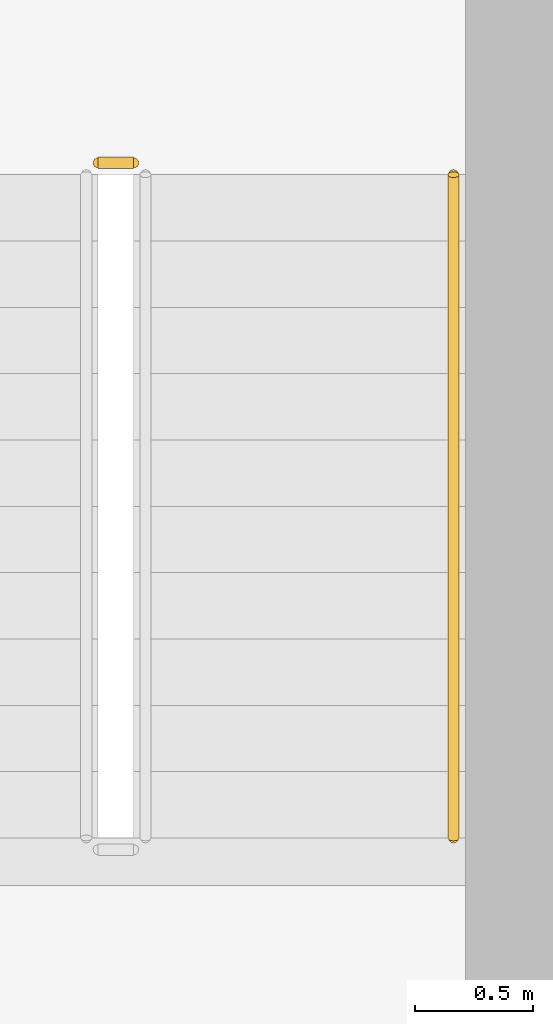
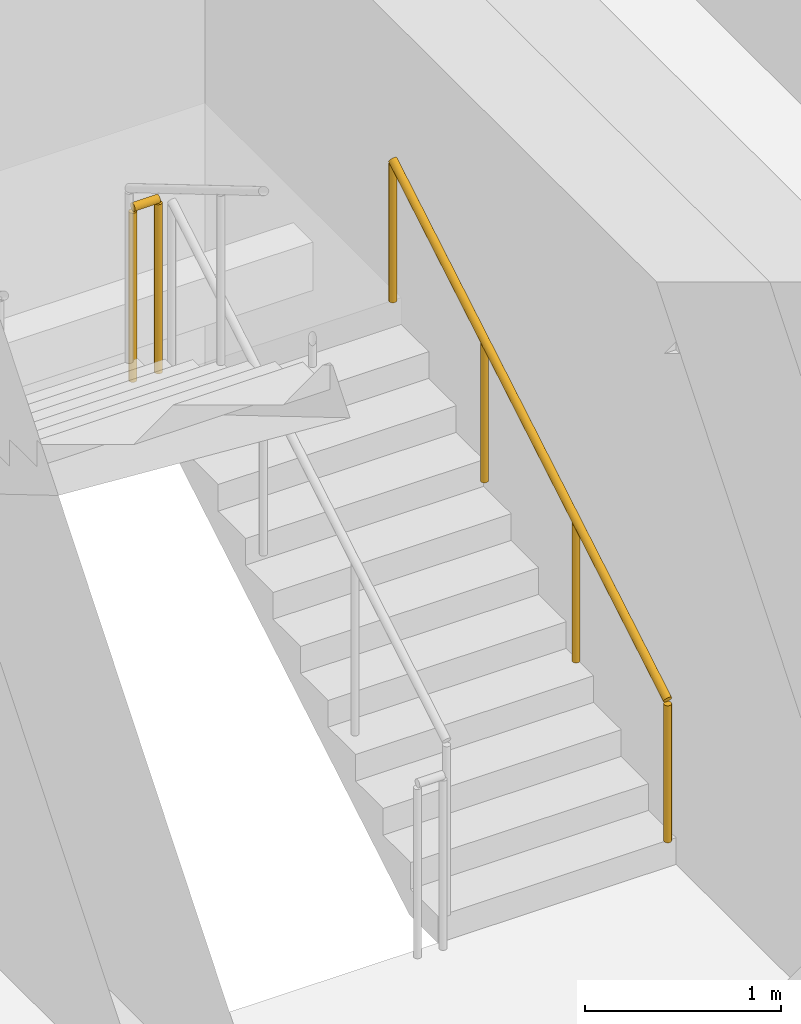
# One storey, part 13 of 15: 2 railings.
"""IFC4 building model written with IfcOpenShell, lengths in metres."""

import ifcopenshell
import ifcopenshell.guid

model = None  # the IFC model being written
_history = None  # IfcOwnerHistory: only IFC2X3 demands one
_inside = {}  # id of a spatial element -> (the spatial element, [elements in it])
_under = {}  # id of a project, library or spatial element -> (it, [spatial elements below it])
_declared = {}  # id of a project -> (the project, [libraries it declares])
_typed = {}  # id of a type object -> (the type object, [elements of that type])
_made_of = {}  # id of a material, layer set ... -> (it, [elements and type objects made of it])


def new_model(schema):
    """Start an empty IFC model of exactly this schema.

    Asked for "IFC4X3", IfcOpenShell would pick the latest addendum, in which some entities
    have other attributes; the version numbers below select the first issue.
    IFC2X3 requires an IfcOwnerHistory on every rooted entity: one is made here for all.
    """
    global model, _history
    if schema == "IFC4X3":
        model = ifcopenshell.file(schema_version=(4, 3, 0, 0))
    else:
        model = ifcopenshell.file(schema=schema)
    _inside.clear()
    _under.clear()
    _declared.clear()
    _typed.clear()
    _made_of.clear()
    _history = None
    if model.schema == "IFC2X3":
        org = make("IfcOrganization", Name="unknown")
        user = make(
            "IfcPersonAndOrganization",
            ThePerson=make("IfcPerson", FamilyName="unknown"),
            TheOrganization=org,
        )
        app = make(
            "IfcApplication",
            ApplicationDeveloper=org,
            Version="unknown",
            ApplicationFullName="unknown",
            ApplicationIdentifier="unknown",
        )
        _history = make(
            "IfcOwnerHistory",
            OwningUser=user,
            OwningApplication=app,
            ChangeAction="ADDED",
            CreationDate=0,
        )
    return model


def make(cls, **values):
    """One entity of the class cls with the attributes given. An attribute that is None is left unset."""
    return model.create_entity(
        cls, **{name: value for name, value in values.items() if value is not None}
    )


def rooted(cls, **values):
    """An entity with a GlobalId (a new one), such as an element, a storey or a relation."""
    return make(cls, GlobalId=ifcopenshell.guid.new(), OwnerHistory=_history, **values)


def si_unit(unit_type, name, prefix=None):
    """IfcSIUnit, for example si_unit("LENGTHUNIT", "METRE", prefix="MILLI")."""
    return make("IfcSIUnit", UnitType=unit_type, Prefix=prefix, Name=name)


def assignment(units):
    """IfcUnitAssignment: the units of a project."""
    return None if units is None else make("IfcUnitAssignment", Units=units)


def point(xyz):
    """IfcCartesianPoint."""
    return None if xyz is None else make("IfcCartesianPoint", Coordinates=xyz)


def direction(xyz):
    """IfcDirection."""
    return None if xyz is None else make("IfcDirection", DirectionRatios=xyz)


def frame(location, z_axis=None, x_axis=None):
    """IfcAxis2Placement3D, a coordinate frame: its origin and axes. An axis left out is left unset."""
    return make(
        "IfcAxis2Placement3D",
        Location=point(location),
        Axis=direction(z_axis),
        RefDirection=direction(x_axis),
    )


def frame_2d(location, x_axis=None):
    """IfcAxis2Placement2D, a coordinate frame in the plane: its origin and x axis."""
    return make(
        "IfcAxis2Placement2D", Location=point(location), RefDirection=direction(x_axis)
    )


def origin():
    """The frame at (0, 0, 0) with its axes left unset."""
    return frame((0.0, 0.0, 0.0))


def origin_2d():
    """The frame at (0, 0) in the plane with its x axis left unset."""
    return frame_2d((0.0, 0.0))


def place(relative_to, where):
    """IfcLocalPlacement: puts the frame where relative to a parent placement (None: the world)."""
    return make(
        "IfcLocalPlacement", PlacementRelTo=relative_to, RelativePlacement=where
    )


def context(
    kind, dimensions, precision=None, world=None, true_north=None, identifier=None
):
    """IfcGeometricRepresentationContext, for example the 3D "Model" context."""
    return make(
        "IfcGeometricRepresentationContext",
        ContextIdentifier=identifier,
        ContextType=kind,
        CoordinateSpaceDimension=dimensions,
        Precision=precision,
        WorldCoordinateSystem=world,
        TrueNorth=true_north,
    )


def subcontext(parent, identifier, kind, view, scale=None):
    """IfcGeometricRepresentationSubContext, for example "Body" below "Model"."""
    return make(
        "IfcGeometricRepresentationSubContext",
        ContextIdentifier=identifier,
        ContextType=kind,
        ParentContext=parent,
        TargetScale=scale,
        TargetView=view,
    )


def project(units=None, contexts=None):
    """IfcProject with its units and contexts."""
    return rooted(
        "IfcProject",
        Name="project",
        RepresentationContexts=contexts,
        UnitsInContext=assignment(units),
    )


def spatial(cls, under=None, at=None, **own):
    """A site, building, storey or space (cls), placed at a placement, below another one or the project."""
    s = rooted(cls, ObjectPlacement=at, **own)
    if under is not None:
        _under.setdefault(under.id(), (under, []))[1].append(s)
    return s


def profile(cls, at=None, kind="AREA", **sizes):
    """A parametric profile (cls). Its sizes go by their IFC names, for example OverallWidth=200.0."""
    return make(cls, ProfileType=kind, Position=at, **sizes)


def circle(**sizes):
    """IfcCircleProfileDef."""
    return profile("IfcCircleProfileDef", **sizes)


def extrude(swept, where, along, depth):
    """IfcExtrudedAreaSolid: the profile swept, set in the frame where, extruded along a direction by depth."""
    return make(
        "IfcExtrudedAreaSolid",
        SweptArea=swept,
        Position=where,
        ExtrudedDirection=direction(along),
        Depth=depth,
    )


def shape(context_of_items, identifier, shape_type, items):
    """IfcShapeRepresentation: the items that make up one representation, for example the "Body"."""
    return make(
        "IfcShapeRepresentation",
        ContextOfItems=context_of_items,
        RepresentationIdentifier=identifier,
        RepresentationType=shape_type,
        Items=items,
    )


def material(Name=None, Category=None):
    """IfcMaterial."""
    return make("IfcMaterial", Name=Name, Category=Category)


def made_of(thing, what):
    """Note that an element or type object is made of a material, layer set ...; save() writes the relation."""
    if what is not None:
        _made_of.setdefault(what.id(), (what, []))[1].append(thing)
    return thing


def type_object(cls, material=None, **own):
    """A type object (cls), such as IfcWallType, which elements share."""
    return made_of(rooted(cls, **own), material)


def element(
    cls,
    number,
    at=None,
    inside=None,
    cuts=None,
    type_object=None,
    material=None,
    context=None,
    identifier="Body",
    shape_type=None,
    held_by="IfcProductDefinitionShape",
    body=None,
    shapes=None,
    **own,
):
    """One element of the class cls, such as IfcWall. Its Tag is "e" and its number.

    at: its placement. inside: the storey or other place that contains it. cuts: it is an
    opening in that element (IfcRelVoidsElement). A single representation is given by context,
    identifier, shape_type and body (its items); several are given by shapes. held_by: the class
    of the entity that holds the representations. save() writes the other relations.
    """
    e = rooted(cls, Tag="e%d" % number, ObjectPlacement=at, **own)
    if body is not None:
        shapes = [shape(context, identifier, shape_type, body)]
    if shapes is not None:
        e.Representation = make(held_by, Representations=shapes)
    if inside is not None:
        _inside.setdefault(inside.id(), (inside, []))[1].append(e)
    if cuts is not None:
        rooted(
            "IfcRelVoidsElement", RelatingBuildingElement=cuts, RelatedOpeningElement=e
        )
    if type_object is not None:
        _typed.setdefault(type_object.id(), (type_object, []))[1].append(e)
    return made_of(e, material)


def aggregate(whole, parts):
    """IfcRelAggregates: a whole, such as a stair, and the parts it consists of."""
    return rooted("IfcRelAggregates", RelatingObject=whole, RelatedObjects=parts)


def save(model, path):
    """Write the relations noted so far, then the file.

    IfcRelAggregates (storeys below a building ...), IfcRelContainedInSpatialStructure (elements
    in a storey), IfcRelDefinesByType, IfcRelAssociatesMaterial and IfcRelDeclares: one each for
    every whole, place, type object, material and project.
    """
    for whole, parts in _under.values():
        aggregate(whole, parts)
    for where, things in _inside.values():
        rooted(
            "IfcRelContainedInSpatialStructure",
            RelatedElements=things,
            RelatingStructure=where,
        )
    for kind, things in _typed.values():
        rooted("IfcRelDefinesByType", RelatedObjects=things, RelatingType=kind)
    for what, things in _made_of.values():
        rooted("IfcRelAssociatesMaterial", RelatedObjects=things, RelatingMaterial=what)
    for by, libraries in _declared.values():
        rooted("IfcRelDeclares", RelatingContext=by, RelatedDefinitions=libraries)
    model.write(path)


model = new_model("IFC4")

# Units and contexts
model_context = context("Model", 3, precision=1e-05, world=origin(), true_north=direction((0.0, 1.0)))
body_context = subcontext(model_context, "Body", "Model", "MODEL_VIEW")
ifc_project = project(units=[si_unit("LENGTHUNIT", "METRE"), si_unit("AREAUNIT", "SQUARE_METRE"), si_unit("VOLUMEUNIT", "CUBIC_METRE"), si_unit("PLANEANGLEUNIT", "RADIAN"), si_unit("MASSUNIT", "GRAM", prefix="KILO")], contexts=[model_context])

# Site, building, storey
site_placement = place(None, origin())
site = spatial("IfcSite", under=ifc_project, at=site_placement, CompositionType="ELEMENT")
building_placement = place(site_placement, origin())
building = spatial("IfcBuilding", under=site, at=building_placement, Name="Isthmus Gate Tower", CompositionType="ELEMENT")
storey_placement = place(building_placement, frame((0.0, 0.0, 282.85009765625)))
storey = spatial("IfcBuildingStorey", under=building, at=storey_placement, Name="L72", CompositionType="ELEMENT", Elevation=282.85009765625)

# Railings
ifc_material_1 = material(Name="Stainless steel balustrade", Category="steel")
railing_type_1 = type_object("IfcRailingType", Name="STAIR GUARD 1100", PredefinedType="GUARDRAIL", material=ifc_material_1)
railing_1_placement = place(storey_placement, frame((12.60009765625, 5.25, 1.824951171875)))
element("IfcRailing", 1, at=railing_1_placement, inside=storey, type_object=railing_type_1, Name="L72 ST8 stair guard 2", PredefinedType="GUARDRAIL", context=body_context, shape_type="SweptSolid", body=[
    extrude(circle(Radius=0.02392578125, at=origin_2d()), frame((0.0, 0.0, 1.076171875), z_axis=(-1.0, 0.0, 0.0), x_axis=(0.0, -1.0, 0.0)), (0.0, 0.0, 1.0), 0.150146484375),
    extrude(circle(Radius=0.02099609375, at=origin_2d()), origin(), (0.0, 0.0, 1.0), 1.052001953125),
    extrude(circle(Radius=0.02099609375, at=origin_2d()), frame((-0.150146484375, 0.0, 0.0)), (0.0, 0.0, 1.0), 1.052001953125),
])
ifc_material_2 = material(Name="Stainless steel handrail", Category="steel")
railing_type_2 = type_object("IfcRailingType", Name="STAIR HANDRAIL 900", PredefinedType="HANDRAIL", material=ifc_material_2)
railing_2_placement = place(storey_placement, frame((13.949951171875, 2.39990234375, 0.165771484375)))
element("IfcRailing", 2, at=railing_2_placement, inside=storey, type_object=railing_type_2, Name="L72 ST8 stair handrail 1", PredefinedType="HANDRAIL", context=body_context, shape_type="SweptSolid", body=[
    extrude(circle(Radius=0.02392578125, at=origin_2d()), frame((0.0, 0.0, 0.8759765625), z_axis=(0.0, 0.860306154799, 0.50977771628), x_axis=(-1.0, 0.0, 0.0)), (0.0, 0.0, 1.0), 3.254638671875),
    extrude(circle(Radius=0.02099609375, at=origin_2d()), origin(), (0.0, 0.0, 1.0), 0.851806640625),
    extrude(circle(Radius=0.02099609375, at=origin_2d()), frame((0.0, 0.933349609375, 0.552978515625)), (0.0, 0.0, 1.0), 0.851806640625),
    extrude(circle(Radius=0.02099609375, at=origin_2d()), frame((0.0, 1.86669921875, 1.106201171875)), (0.0, 0.0, 1.0), 0.851806640625),
    extrude(circle(Radius=0.02099609375, at=origin_2d()), frame((0.0, 2.800048828125, 1.6591796875)), (0.0, 0.0, 1.0), 0.851806640625),
])

save(model, "model.ifc")
